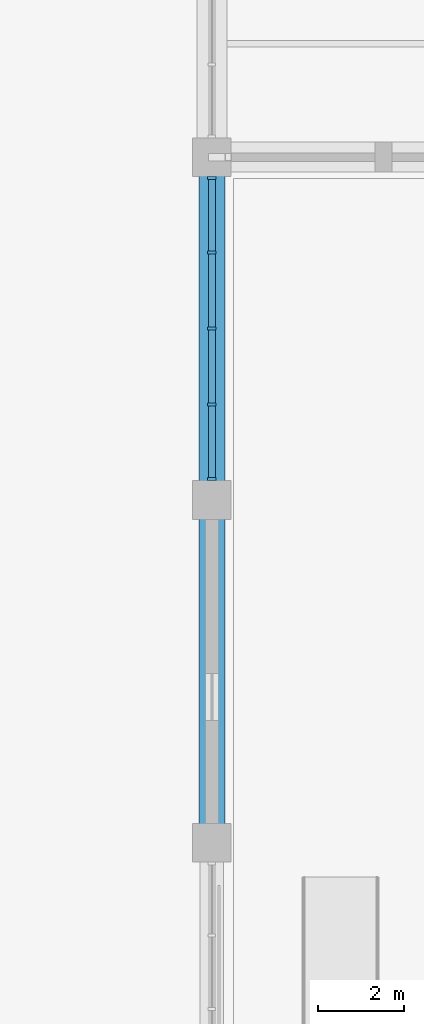
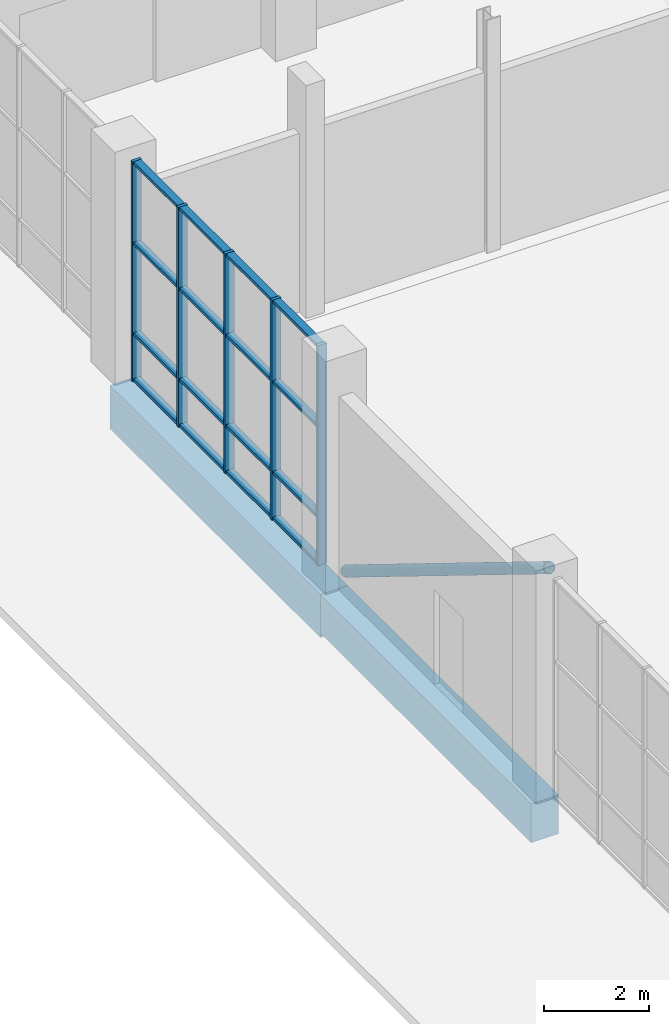
# One storey, part 21 of 123: 22 members, 2 beams, 1 element without a shape of its own.
"""IFC4 building model written with IfcOpenShell, lengths in metres."""

from ifc_helpers import new_model, si_unit, direction, frame, origin, origin_2d, place, context, subcontext, project, spatial, rectangle, hollow_circle, extrude, material, material_profile, profile_set, type_object, element, aggregate, save


model = new_model("IFC4")

# Units and contexts
model_context = context("Model", 3, precision=1e-05, world=origin(), true_north=direction((0.0, 1.0)))
body_context = subcontext(model_context, "Body", "Model", "MODEL_VIEW")
ifc_project = project(units=[si_unit("LENGTHUNIT", "METRE"), si_unit("AREAUNIT", "SQUARE_METRE"), si_unit("VOLUMEUNIT", "CUBIC_METRE"), si_unit("PLANEANGLEUNIT", "RADIAN"), si_unit("MASSUNIT", "GRAM", prefix="KILO")], contexts=[model_context])

# Site, building, storey
site_placement = place(None, origin())
site = spatial("IfcSite", under=ifc_project, at=site_placement, CompositionType="ELEMENT")
building_placement = place(site_placement, origin())
building = spatial("IfcBuilding", under=site, at=building_placement, Name="Tenunan Teduh Sports Hall", CompositionType="ELEMENT")
storey_placement = place(building_placement, origin())
storey = spatial("IfcBuildingStorey", under=building, at=storey_placement, Name="L00", CompositionType="ELEMENT", Elevation=0.0)

# Beams
ifc_material_1 = material(Name="Concrete C40/50", Category="concrete")
ifc_material_profile_1 = material_profile(ifc_material_1, rectangle(XDim=0.60009765625, YDim=1.0, at=origin_2d()), Name="RCB 600x1000")
ifc_profile_set_1 = profile_set([ifc_material_profile_1], Name="Concrete C40/50")
beam_type_1 = type_object("IfcBeamType", Name="BM-RC-600x1000", PredefinedType="BEAM", material=ifc_profile_set_1)
beam_1_placement = place(storey_placement, frame((6.0, 30.0, -0.820068359375), z_axis=(0.0, 1.0, 0.0), x_axis=(-1.0, 0.0, 0.0)))
element("IfcBeam", 1, at=beam_1_placement, inside=storey, type_object=beam_type_1, Name="BM-B-18-L00-0765", PredefinedType="BEAM", context=body_context, shape_type="SweptSolid", body=[
    extrude(rectangle(XDim=0.60009765625, YDim=1.0, at=origin_2d()), origin(), (0.0, 0.0, 1.0), 8.0),
])
ifc_material_2 = material(Name="Concrete C40/50", Category="concrete")
ifc_material_profile_2 = material_profile(ifc_material_2, rectangle(XDim=0.60009765625, YDim=0.89990234375, at=origin_2d()), Name="RCB 600x900")
ifc_profile_set_2 = profile_set([ifc_material_profile_2], Name="Concrete C40/50")
beam_type_2 = type_object("IfcBeamType", Name="BM-RC-600x900", PredefinedType="BEAM", material=ifc_profile_set_2)
beam_2_placement = place(storey_placement, frame((6.0, 22.0, -0.77001953125), z_axis=(0.0, 1.0, 0.0), x_axis=(-1.0, 0.0, 0.0)))
element("IfcBeam", 2, at=beam_2_placement, inside=storey, type_object=beam_type_2, Name="BM-B-17-L00-0764", PredefinedType="BEAM", context=body_context, shape_type="SweptSolid", body=[
    extrude(rectangle(XDim=0.60009765625, YDim=0.89990234375, at=origin_2d()), origin(), (0.0, 0.0, 1.0), 8.0),
])

# Curtain wall, members
ifc_material_3 = material(Name="Anodised aluminium", Category="aluminium")
curtain_wall_type = type_object("IfcCurtainWallType", Name="CW-UNIT-2", PredefinedType="NOTDEFINED", material=ifc_material_3)
curtain_wall_placement = place(storey_placement, origin())
curtain_wall = element("IfcCurtainWall", 3, at=curtain_wall_placement, inside=storey, type_object=curtain_wall_type, Name="CW-CWM-200-L00-036", PredefinedType="NOTDEFINED")
ifc_material_4 = material(Name="Anodised aluminium", Category="aluminium")
ifc_material_profile_3 = material_profile(ifc_material_4, rectangle(XDim=0.070068359375, YDim=0.199951171875, at=origin_2d()), Name="CWM 70x200")
ifc_profile_set_3 = profile_set([ifc_material_profile_3], Name="Anodised aluminium")
member_type_1 = type_object("IfcMemberType", Name="CWM-200", PredefinedType="MULLION", material=ifc_profile_set_3)
member_1_placement = place(storey_placement, frame((6.0, 30.485107421875, 0.0), z_axis=(0.0, 0.0, 1.0), x_axis=(0.0, 1.0, 0.0)))
member_1 = element("IfcMember", 4, at=member_1_placement, type_object=member_type_1, Name="CW-02 mullion 1", PredefinedType="MULLION", context=body_context, shape_type="SweptSolid", body=[
    extrude(rectangle(XDim=0.070068359375, YDim=0.199951171875, at=origin_2d()), origin(), (0.0, 0.0, 1.0), 5.10009765625),
])
member_2_placement = place(storey_placement, frame((6.0, 32.22509765625, 0.0), z_axis=(0.0, 0.0, 1.0), x_axis=(0.0, 1.0, 0.0)))
member_2 = element("IfcMember", 5, at=member_2_placement, type_object=member_type_1, Name="CW-02 mullion 2", PredefinedType="MULLION", context=body_context, shape_type="SweptSolid", body=[
    extrude(rectangle(XDim=0.070068359375, YDim=0.199951171875, at=origin_2d()), origin(), (0.0, 0.0, 1.0), 5.10009765625),
])
member_3_placement = place(storey_placement, frame((6.0, 34.0, 0.0), z_axis=(0.0, 0.0, 1.0), x_axis=(0.0, 1.0, 0.0)))
member_3 = element("IfcMember", 6, at=member_3_placement, type_object=member_type_1, Name="CW-02 mullion 3", PredefinedType="MULLION", context=body_context, shape_type="SweptSolid", body=[
    extrude(rectangle(XDim=0.070068359375, YDim=0.199951171875, at=origin_2d()), origin(), (0.0, 0.0, 1.0), 5.10009765625),
])
member_4_placement = place(storey_placement, frame((6.0, 35.77490234375, 0.0), z_axis=(0.0, 0.0, 1.0), x_axis=(0.0, 1.0, 0.0)))
member_4 = element("IfcMember", 7, at=member_4_placement, type_object=member_type_1, Name="CW-02 mullion 4", PredefinedType="MULLION", context=body_context, shape_type="SweptSolid", body=[
    extrude(rectangle(XDim=0.070068359375, YDim=0.199951171875, at=origin_2d()), origin(), (0.0, 0.0, 1.0), 5.10009765625),
])
member_5_placement = place(storey_placement, frame((6.0, 37.514892578125, 0.0), z_axis=(0.0, 0.0, 1.0), x_axis=(0.0, 1.0, 0.0)))
member_5 = element("IfcMember", 8, at=member_5_placement, type_object=member_type_1, Name="CW-02 mullion 5", PredefinedType="MULLION", context=body_context, shape_type="SweptSolid", body=[
    extrude(rectangle(XDim=0.070068359375, YDim=0.199951171875, at=origin_2d()), origin(), (0.0, 0.0, 1.0), 5.10009765625),
])
ifc_material_5 = material(Name="Anodised aluminium", Category="aluminium")
ifc_material_profile_4 = material_profile(ifc_material_5, rectangle(XDim=0.070068359375, YDim=0.159912109375, at=origin_2d()), Name="CWT 70x160")
ifc_profile_set_4 = profile_set([ifc_material_profile_4], Name="Anodised aluminium")
member_type_2 = type_object("IfcMemberType", Name="CWT-200", PredefinedType="USERDEFINED", material=ifc_profile_set_4)
member_6_placement = place(storey_placement, frame((6.0, 30.52001953125, 0.034912109375), z_axis=(0.0, 1.0, 0.0), x_axis=(0.0, 0.0, 1.0)))
member_6 = element("IfcMember", 9, at=member_6_placement, type_object=member_type_2, Name="CW-02 transom 1.1", ObjectType="TRANSOM", PredefinedType="USERDEFINED", context=body_context, shape_type="SweptSolid", body=[
    extrude(rectangle(XDim=0.070068359375, YDim=0.159912109375, at=origin_2d()), origin(), (0.0, 0.0, 1.0), 1.669921875),
])
member_7_placement = place(storey_placement, frame((6.0, 30.52001953125, 1.10009765625), z_axis=(0.0, 1.0, 0.0), x_axis=(0.0, 0.0, 1.0)))
member_7 = element("IfcMember", 10, at=member_7_placement, type_object=member_type_2, Name="CW-02 transom 1.2", ObjectType="TRANSOM", PredefinedType="USERDEFINED", context=body_context, shape_type="SweptSolid", body=[
    extrude(rectangle(XDim=0.070068359375, YDim=0.159912109375, at=origin_2d()), origin(), (0.0, 0.0, 1.0), 1.669921875),
])
member_8_placement = place(storey_placement, frame((6.0, 30.52001953125, 3.199951171875), z_axis=(0.0, 1.0, 0.0), x_axis=(0.0, 0.0, 1.0)))
member_8 = element("IfcMember", 11, at=member_8_placement, type_object=member_type_2, Name="CW-02 transom 1.3", ObjectType="TRANSOM", PredefinedType="USERDEFINED", context=body_context, shape_type="SweptSolid", body=[
    extrude(rectangle(XDim=0.070068359375, YDim=0.159912109375, at=origin_2d()), origin(), (0.0, 0.0, 1.0), 1.669921875),
])
member_9_placement = place(storey_placement, frame((6.0, 30.52001953125, 5.06494140625), z_axis=(0.0, 1.0, 0.0), x_axis=(0.0, 0.0, 1.0)))
member_9 = element("IfcMember", 12, at=member_9_placement, type_object=member_type_2, Name="CW-02 transom 1.4", ObjectType="TRANSOM", PredefinedType="USERDEFINED", context=body_context, shape_type="SweptSolid", body=[
    extrude(rectangle(XDim=0.070068359375, YDim=0.159912109375, at=origin_2d()), origin(), (0.0, 0.0, 1.0), 1.669921875),
])
member_10_placement = place(storey_placement, frame((6.0, 32.260009765625, 0.034912109375), z_axis=(0.0, 1.0, 0.0), x_axis=(0.0, 0.0, 1.0)))
member_10 = element("IfcMember", 13, at=member_10_placement, type_object=member_type_2, Name="CW-02 transom 2.1", ObjectType="TRANSOM", PredefinedType="USERDEFINED", context=body_context, shape_type="SweptSolid", body=[
    extrude(rectangle(XDim=0.070068359375, YDim=0.159912109375, at=origin_2d()), origin(), (0.0, 0.0, 1.0), 1.705078125),
])
member_11_placement = place(storey_placement, frame((6.0, 32.260009765625, 1.10009765625), z_axis=(0.0, 1.0, 0.0), x_axis=(0.0, 0.0, 1.0)))
member_11 = element("IfcMember", 14, at=member_11_placement, type_object=member_type_2, Name="CW-02 transom 2.2", ObjectType="TRANSOM", PredefinedType="USERDEFINED", context=body_context, shape_type="SweptSolid", body=[
    extrude(rectangle(XDim=0.070068359375, YDim=0.159912109375, at=origin_2d()), origin(), (0.0, 0.0, 1.0), 1.705078125),
])
member_12_placement = place(storey_placement, frame((6.0, 32.260009765625, 3.199951171875), z_axis=(0.0, 1.0, 0.0), x_axis=(0.0, 0.0, 1.0)))
member_12 = element("IfcMember", 15, at=member_12_placement, type_object=member_type_2, Name="CW-02 transom 2.3", ObjectType="TRANSOM", PredefinedType="USERDEFINED", context=body_context, shape_type="SweptSolid", body=[
    extrude(rectangle(XDim=0.070068359375, YDim=0.159912109375, at=origin_2d()), origin(), (0.0, 0.0, 1.0), 1.705078125),
])
member_13_placement = place(storey_placement, frame((6.0, 32.260009765625, 5.06494140625), z_axis=(0.0, 1.0, 0.0), x_axis=(0.0, 0.0, 1.0)))
member_13 = element("IfcMember", 16, at=member_13_placement, type_object=member_type_2, Name="CW-02 transom 2.4", ObjectType="TRANSOM", PredefinedType="USERDEFINED", context=body_context, shape_type="SweptSolid", body=[
    extrude(rectangle(XDim=0.070068359375, YDim=0.159912109375, at=origin_2d()), origin(), (0.0, 0.0, 1.0), 1.705078125),
])
member_14_placement = place(storey_placement, frame((6.0, 34.034912109375, 0.034912109375), z_axis=(0.0, 1.0, 0.0), x_axis=(0.0, 0.0, 1.0)))
member_14 = element("IfcMember", 17, at=member_14_placement, type_object=member_type_2, Name="CW-02 transom 3.1", ObjectType="TRANSOM", PredefinedType="USERDEFINED", context=body_context, shape_type="SweptSolid", body=[
    extrude(rectangle(XDim=0.070068359375, YDim=0.159912109375, at=origin_2d()), origin(), (0.0, 0.0, 1.0), 1.705078125),
])
member_15_placement = place(storey_placement, frame((6.0, 34.034912109375, 1.10009765625), z_axis=(0.0, 1.0, 0.0), x_axis=(0.0, 0.0, 1.0)))
member_15 = element("IfcMember", 18, at=member_15_placement, type_object=member_type_2, Name="CW-02 transom 3.2", ObjectType="TRANSOM", PredefinedType="USERDEFINED", context=body_context, shape_type="SweptSolid", body=[
    extrude(rectangle(XDim=0.070068359375, YDim=0.159912109375, at=origin_2d()), origin(), (0.0, 0.0, 1.0), 1.705078125),
])
member_16_placement = place(storey_placement, frame((6.0, 34.034912109375, 3.199951171875), z_axis=(0.0, 1.0, 0.0), x_axis=(0.0, 0.0, 1.0)))
member_16 = element("IfcMember", 19, at=member_16_placement, type_object=member_type_2, Name="CW-02 transom 3.3", ObjectType="TRANSOM", PredefinedType="USERDEFINED", context=body_context, shape_type="SweptSolid", body=[
    extrude(rectangle(XDim=0.070068359375, YDim=0.159912109375, at=origin_2d()), origin(), (0.0, 0.0, 1.0), 1.705078125),
])
member_17_placement = place(storey_placement, frame((6.0, 34.034912109375, 5.06494140625), z_axis=(0.0, 1.0, 0.0), x_axis=(0.0, 0.0, 1.0)))
member_17 = element("IfcMember", 20, at=member_17_placement, type_object=member_type_2, Name="CW-02 transom 3.4", ObjectType="TRANSOM", PredefinedType="USERDEFINED", context=body_context, shape_type="SweptSolid", body=[
    extrude(rectangle(XDim=0.070068359375, YDim=0.159912109375, at=origin_2d()), origin(), (0.0, 0.0, 1.0), 1.705078125),
])
member_18_placement = place(storey_placement, frame((6.0, 35.81005859375, 0.034912109375), z_axis=(0.0, 1.0, 0.0), x_axis=(0.0, 0.0, 1.0)))
member_18 = element("IfcMember", 21, at=member_18_placement, type_object=member_type_2, Name="CW-02 transom 4.1", ObjectType="TRANSOM", PredefinedType="USERDEFINED", context=body_context, shape_type="SweptSolid", body=[
    extrude(rectangle(XDim=0.070068359375, YDim=0.159912109375, at=origin_2d()), origin(), (0.0, 0.0, 1.0), 1.669921875),
])
member_19_placement = place(storey_placement, frame((6.0, 35.81005859375, 1.10009765625), z_axis=(0.0, 1.0, 0.0), x_axis=(0.0, 0.0, 1.0)))
member_19 = element("IfcMember", 22, at=member_19_placement, type_object=member_type_2, Name="CW-02 transom 4.2", ObjectType="TRANSOM", PredefinedType="USERDEFINED", context=body_context, shape_type="SweptSolid", body=[
    extrude(rectangle(XDim=0.070068359375, YDim=0.159912109375, at=origin_2d()), origin(), (0.0, 0.0, 1.0), 1.669921875),
])
member_20_placement = place(storey_placement, frame((6.0, 35.81005859375, 3.199951171875), z_axis=(0.0, 1.0, 0.0), x_axis=(0.0, 0.0, 1.0)))
member_20 = element("IfcMember", 23, at=member_20_placement, type_object=member_type_2, Name="CW-02 transom 4.3", ObjectType="TRANSOM", PredefinedType="USERDEFINED", context=body_context, shape_type="SweptSolid", body=[
    extrude(rectangle(XDim=0.070068359375, YDim=0.159912109375, at=origin_2d()), origin(), (0.0, 0.0, 1.0), 1.669921875),
])
member_21_placement = place(storey_placement, frame((6.0, 35.81005859375, 5.06494140625), z_axis=(0.0, 1.0, 0.0), x_axis=(0.0, 0.0, 1.0)))
member_21 = element("IfcMember", 24, at=member_21_placement, type_object=member_type_2, Name="CW-02 transom 4.4", ObjectType="TRANSOM", PredefinedType="USERDEFINED", context=body_context, shape_type="SweptSolid", body=[
    extrude(rectangle(XDim=0.070068359375, YDim=0.159912109375, at=origin_2d()), origin(), (0.0, 0.0, 1.0), 1.669921875),
])
aggregate(curtain_wall, [member_1, member_2, member_3, member_4, member_5, member_6, member_7, member_8, member_9, member_10, member_11, member_12, member_13, member_14, member_15, member_16, member_17, member_18, member_19, member_20, member_21])

# Member
ifc_material_6 = material(Name="Steel S355", Category="steel")
ifc_material_profile_5 = material_profile(ifc_material_6, hollow_circle(Radius=0.122314453125, WallThickness=0.010009765625, at=origin_2d()), Name="CHS 244.5x10.0")
ifc_profile_set_5 = profile_set([ifc_material_profile_5], Name="Steel S355")
member_type_3 = type_object("IfcMemberType", Name="MEM-BR-CHS245", PredefinedType="BRACE", material=ifc_profile_set_5)
member_22_placement = place(storey_placement, frame((6.179931640625, 29.85009765625, 0.14990234375), z_axis=(0.0, -0.851094506608, 0.525012514919), x_axis=(1.0, 0.0, 0.0)))
element("IfcMember", 25, at=member_22_placement, inside=storey, type_object=member_type_3, Name="MEM-GD-01-L00-1444", PredefinedType="BRACE", context=body_context, shape_type="SweptSolid", body=[
    extrude(hollow_circle(Radius=0.122314453125, WallThickness=0.010009765625, at=origin_2d()), origin(), (0.0, 0.0, 1.0), 9.04736328125),
])

save(model, "model.ifc")
